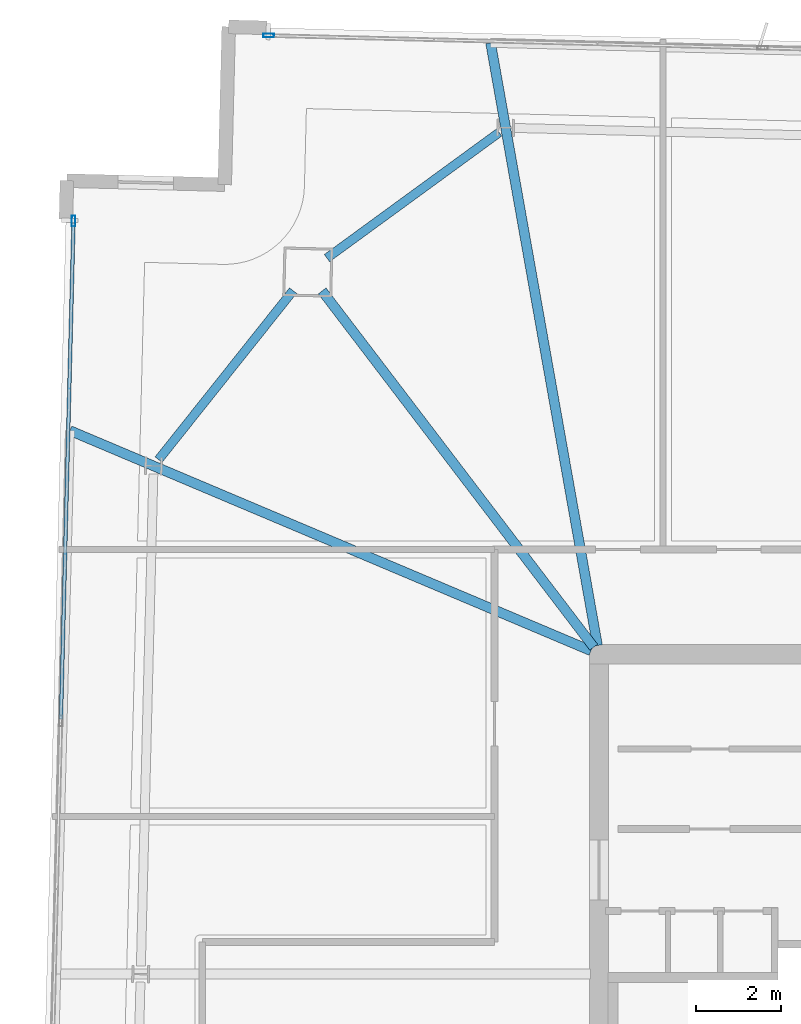
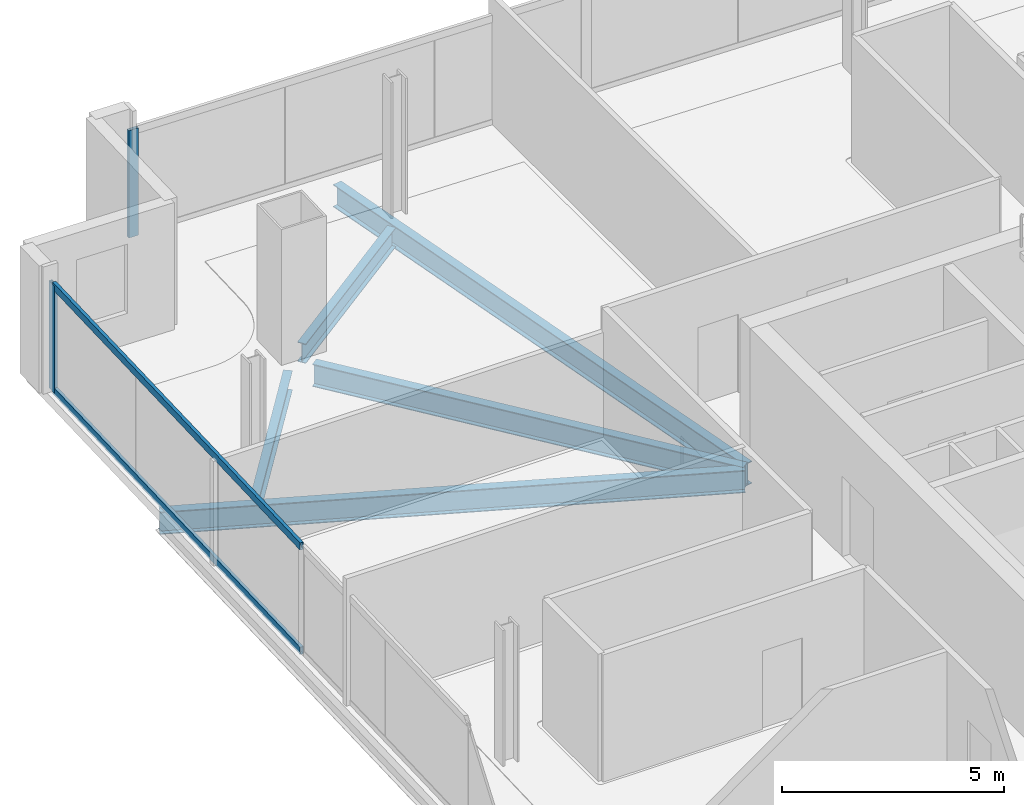
# One storey, part 13 of 25: 5 beams, 4 members, 2 elements without a shape of their own.
"""IFC4 building model written with IfcOpenShell, lengths in metres."""

from ifc_helpers import new_model, si_unit, direction, frame, origin, origin_2d, place, context, subcontext, project, spatial, hollow_rectangle, i_section, extrude, material, material_profile, profile_set, type_object, element, aggregate, save


model = new_model("IFC4")

# Units and contexts
model_context = context("Model", 3, precision=1e-05, world=origin(), true_north=direction((0.0, 1.0)))
body_context = subcontext(model_context, "Body", "Model", "MODEL_VIEW")
ifc_project = project(units=[si_unit("LENGTHUNIT", "METRE"), si_unit("AREAUNIT", "SQUARE_METRE"), si_unit("VOLUMEUNIT", "CUBIC_METRE"), si_unit("PLANEANGLEUNIT", "RADIAN"), si_unit("MASSUNIT", "GRAM", prefix="KILO")], contexts=[model_context])

# Site, building, storey
site_placement = place(None, origin())
site = spatial("IfcSite", under=ifc_project, at=site_placement, CompositionType="ELEMENT")
building_placement = place(site_placement, origin())
building = spatial("IfcBuilding", under=site, at=building_placement, Name="Haldenkirk Collegiate Tower", CompositionType="ELEMENT")
storey_placement = place(building_placement, frame((0.0, 0.0, 325.199951171875)))
storey = spatial("IfcBuildingStorey", under=building, at=storey_placement, Name="L82", CompositionType="ELEMENT", Elevation=325.199951171875)

# Beams
ifc_material_1 = material(Name="Steel ASTM A992 Grade 50", Category="steel")
ifc_material_profile_1 = material_profile(ifc_material_1, i_section(OverallWidth=0.22998046875, OverallDepth=0.616943359375, WebThickness=0.01318359375, FlangeThickness=0.022216796875, at=origin_2d()), Name="W24X94")
ifc_profile_set_1 = profile_set([ifc_material_profile_1], Name="Steel ASTM A992 Grade 50")
beam_type_1 = type_object("IfcBeamType", Name="BM-GIRDER-W24X94", PredefinedType="BEAM", material=ifc_profile_set_1)
beam_1_placement = place(storey_placement, frame((20.510498046875, 42.514404296875, -0.568359375), z_axis=(0.606183308444, -0.79532496287, 0.0), x_axis=(0.79532496287, 0.606183308444, 0.0)))
element("IfcBeam", 1, at=beam_1_placement, inside=storey, type_object=beam_type_1, Name="L82 primary floor girder 03", PredefinedType="BEAM", context=body_context, shape_type="SweptSolid", body=[
    extrude(i_section(OverallWidth=0.22998046875, OverallDepth=0.616943359375, WebThickness=0.01318359375, FlangeThickness=0.022216796875, at=origin_2d()), origin(), (0.0, 0.0, 1.0), 10.50048828125),
])
beam_2_placement = place(storey_placement, frame((24.458251953125, 48.3291015625, -0.568359375), z_axis=(0.174652111312, -0.984630204703, 0.0), x_axis=(0.984630204703, 0.174652111312, 0.0)))
element("IfcBeam", 2, at=beam_2_placement, inside=storey, type_object=beam_type_1, Name="L82 primary floor girder 10", PredefinedType="BEAM", context=body_context, shape_type="SweptSolid", body=[
    extrude(i_section(OverallWidth=0.22998046875, OverallDepth=0.616943359375, WebThickness=0.01318359375, FlangeThickness=0.022216796875, at=origin_2d()), origin(), (0.0, 0.0, 1.0), 14.34765625),
])
beam_3_placement = place(storey_placement, frame((14.59814453125, 39.239990234375, -0.568359375), z_axis=(0.921154956539, -0.389196025216, 0.0), x_axis=(0.389196025216, 0.921154956539, 0.0)))
element("IfcBeam", 3, at=beam_3_placement, inside=storey, type_object=beam_type_1, Name="L82 primary floor girder 11", PredefinedType="BEAM", context=body_context, shape_type="SweptSolid", body=[
    extrude(i_section(OverallWidth=0.22998046875, OverallDepth=0.616943359375, WebThickness=0.01318359375, FlangeThickness=0.022216796875, at=origin_2d()), origin(), (0.0, 0.0, 1.0), 13.258544921875),
])
ifc_material_profile_2 = material_profile(ifc_material_1, i_section(OverallWidth=0.2099609375, OverallDepth=0.537109375, WebThickness=0.010986328125, FlangeThickness=0.017333984375, at=origin_2d()), Name="W21X68")
ifc_profile_set_2 = profile_set([ifc_material_profile_2], Name="Steel ASTM A992 Grade 50")
beam_type_2 = type_object("IfcBeamType", Name="BM-SPANDREL-W21X68", PredefinedType="SPANDREL", material=ifc_profile_set_2)
beam_4_placement = place(storey_placement, frame((24.6591796875, 46.228759765625, -0.528564453125), z_axis=(-0.807792834001, -0.589466485338, 0.0), x_axis=(0.589466485338, -0.807792834001, 0.0)))
element("IfcBeam", 4, at=beam_4_placement, inside=storey, type_object=beam_type_2, Name="L82 perimeter spandrel beam 08", PredefinedType="SPANDREL", context=body_context, shape_type="SweptSolid", body=[
    extrude(i_section(OverallWidth=0.2099609375, OverallDepth=0.537109375, WebThickness=0.010986328125, FlangeThickness=0.017333984375, at=origin_2d()), origin(), (0.0, 0.0, 1.0), 4.997314453125),
])
beam_5_placement = place(storey_placement, frame((19.828369140625, 42.521484375, -0.528564453125), z_axis=(-0.622694005585, -0.782465446783, 0.0), x_axis=(0.782465446783, -0.622694005585, 0.0)))
element("IfcBeam", 5, at=beam_5_placement, inside=storey, type_object=beam_type_2, Name="L82 perimeter spandrel beam 09", PredefinedType="SPANDREL", context=body_context, shape_type="SweptSolid", body=[
    extrude(i_section(OverallWidth=0.2099609375, OverallDepth=0.537109375, WebThickness=0.010986328125, FlangeThickness=0.017333984375, at=origin_2d()), origin(), (0.0, 0.0, 1.0), 5.06396484375),
])

# Curtain wall, member
ifc_material_2 = material(Name="Anodised architectural bronze aluminium", Category="aluminium")
curtain_wall_type = type_object("IfcCurtainWallType", Name="CW-SYS1B-CONVEX-HI", PredefinedType="USERDEFINED", material=ifc_material_2)
curtain_wall_1_placement = place(storey_placement, origin())
curtain_wall_1 = element("IfcCurtainWall", 6, at=curtain_wall_1_placement, inside=storey, type_object=curtain_wall_type, Name="L82 Upper tower high-wind convex bronze unitised curtain wall", ObjectType="UNITISED CURTAIN WALL", PredefinedType="USERDEFINED")
ifc_material_profile_3 = material_profile(ifc_material_2, hollow_rectangle(XDim=0.0849609375, YDim=0.25, WallThickness=0.0048828125, at=origin_2d()), Name="CW-MUL-1B")
ifc_profile_set_3 = profile_set([ifc_material_profile_3], Name="Anodised architectural bronze aluminium")
member_type_1 = type_object("IfcMemberType", Name="CW-MUL-1B", PredefinedType="MULLION", material=ifc_profile_set_3)
member_1_placement = place(storey_placement, frame((19.256591796875, 48.5009765625, 0.0), z_axis=(0.0, 0.0, 1.0), x_axis=(0.0253046831, 0.999679785238, 0.0)))
member_1 = element("IfcMember", 7, at=member_1_placement, type_object=member_type_1, Name="CW-1B mullion 1", PredefinedType="MULLION", context=body_context, shape_type="SweptSolid", body=[
    extrude(hollow_rectangle(XDim=0.0849609375, YDim=0.25, WallThickness=0.0048828125, at=origin_2d()), origin(), (0.0, 0.0, 1.0), 2.947998046875),
])
aggregate(curtain_wall_1, [member_1])

# Curtain wall, members
curtain_wall_2_placement = place(storey_placement, origin())
curtain_wall_2 = element("IfcCurtainWall", 8, at=curtain_wall_2_placement, inside=storey, type_object=curtain_wall_type, Name="L82 Upper tower high-wind convex bronze unitised curtain wall", ObjectType="UNITISED CURTAIN WALL", PredefinedType="USERDEFINED")
member_2_placement = place(storey_placement, frame((14.682373046875, 44.15283203125, 0.0), z_axis=(0.0, 0.0, 1.0), x_axis=(-0.99967982494, 0.025303114586, 0.0)))
member_2 = element("IfcMember", 9, at=member_2_placement, type_object=member_type_1, Name="CW-1B mullion 4", PredefinedType="MULLION", context=body_context, shape_type="SweptSolid", body=[
    extrude(hollow_rectangle(XDim=0.0849609375, YDim=0.25, WallThickness=0.0048828125, at=origin_2d()), origin(), (0.0, 0.0, 1.0), 2.947998046875),
])
ifc_material_profile_4 = material_profile(ifc_material_2, hollow_rectangle(XDim=0.0849609375, YDim=0.199951171875, WallThickness=0.0048828125, at=origin_2d()), Name="CW-TRN-1B")
ifc_profile_set_4 = profile_set([ifc_material_profile_4], Name="Anodised architectural bronze aluminium")
member_type_2 = type_object("IfcMemberType", Name="CW-TRN-1B", PredefinedType="USERDEFINED", material=ifc_profile_set_4)
member_3_placement = place(storey_placement, frame((14.386962890625, 32.474853515625, 0.04248046875), z_axis=(0.025297201925, 0.999679974579, 0.0), x_axis=(-0.999679974579, 0.025297201925, 0.0)))
member_3 = element("IfcMember", 10, at=member_3_placement, type_object=member_type_2, Name="CW-1B transom 3.1", ObjectType="TRANSOM", PredefinedType="USERDEFINED", context=body_context, shape_type="SweptSolid", body=[
    extrude(hollow_rectangle(XDim=0.0849609375, YDim=0.199951171875, WallThickness=0.0048828125, at=origin_2d()), origin(), (0.0, 0.0, 1.0), 11.638916015625),
])
member_4_placement = place(storey_placement, frame((14.386962890625, 32.474853515625, 2.905517578125), z_axis=(0.025297201925, 0.999679974579, 0.0), x_axis=(-0.999679974579, 0.025297201925, 0.0)))
member_4 = element("IfcMember", 11, at=member_4_placement, type_object=member_type_2, Name="CW-1B transom 3.2", ObjectType="TRANSOM", PredefinedType="USERDEFINED", context=body_context, shape_type="SweptSolid", body=[
    extrude(hollow_rectangle(XDim=0.0849609375, YDim=0.199951171875, WallThickness=0.0048828125, at=origin_2d()), origin(), (0.0, 0.0, 1.0), 11.638916015625),
])
aggregate(curtain_wall_2, [member_2, member_3, member_4])

save(model, "model.ifc")
